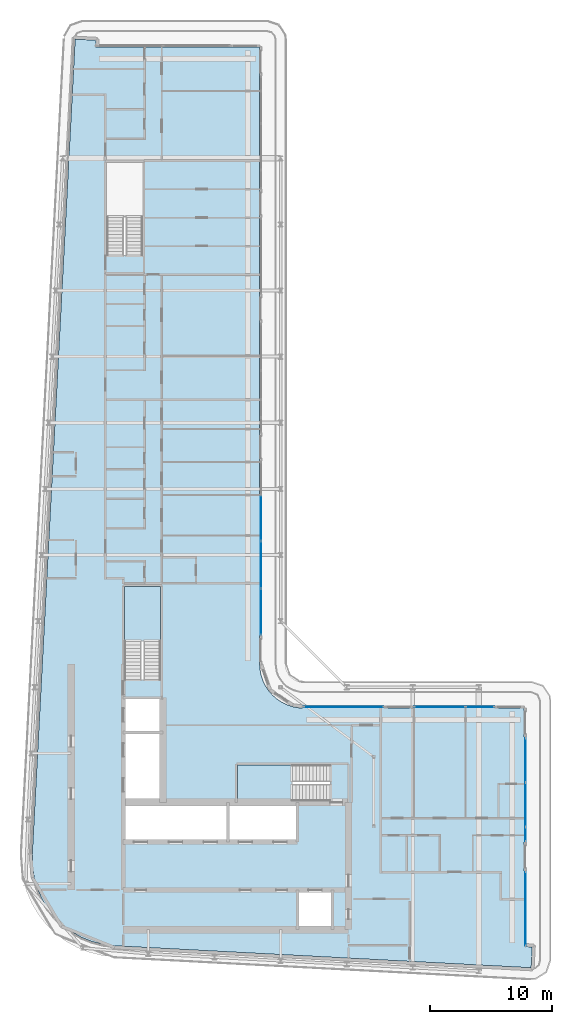
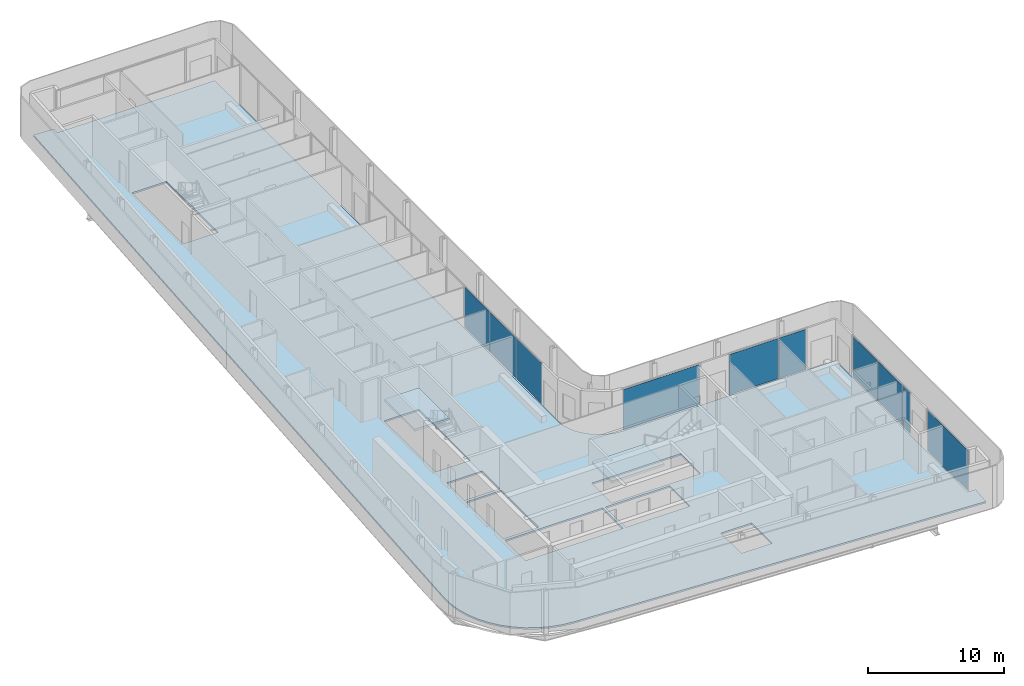
# One storey, part 9 of 21: 10 plates, 3 slabs, 9 elements without a shape of their own.
"""IFC4 building model written with IfcOpenShell, lengths in metres."""

import ifcopenshell
import ifcopenshell.guid

model = None  # the IFC model being written
_history = None  # IfcOwnerHistory: only IFC2X3 demands one
_inside = {}  # id of a spatial element -> (the spatial element, [elements in it])
_under = {}  # id of a project, library or spatial element -> (it, [spatial elements below it])
_declared = {}  # id of a project -> (the project, [libraries it declares])
_typed = {}  # id of a type object -> (the type object, [elements of that type])
_made_of = {}  # id of a material, layer set ... -> (it, [elements and type objects made of it])


def new_model(schema):
    """Start an empty IFC model of exactly this schema.

    Asked for "IFC4X3", IfcOpenShell would pick the latest addendum, in which some entities
    have other attributes; the version numbers below select the first issue.
    IFC2X3 requires an IfcOwnerHistory on every rooted entity: one is made here for all.
    """
    global model, _history
    if schema == "IFC4X3":
        model = ifcopenshell.file(schema_version=(4, 3, 0, 0))
    else:
        model = ifcopenshell.file(schema=schema)
    _inside.clear()
    _under.clear()
    _declared.clear()
    _typed.clear()
    _made_of.clear()
    _history = None
    if model.schema == "IFC2X3":
        org = make("IfcOrganization", Name="unknown")
        user = make(
            "IfcPersonAndOrganization",
            ThePerson=make("IfcPerson", FamilyName="unknown"),
            TheOrganization=org,
        )
        app = make(
            "IfcApplication",
            ApplicationDeveloper=org,
            Version="unknown",
            ApplicationFullName="unknown",
            ApplicationIdentifier="unknown",
        )
        _history = make(
            "IfcOwnerHistory",
            OwningUser=user,
            OwningApplication=app,
            ChangeAction="ADDED",
            CreationDate=0,
        )
    return model


def make(cls, **values):
    """One entity of the class cls with the attributes given. An attribute that is None is left unset."""
    return model.create_entity(
        cls, **{name: value for name, value in values.items() if value is not None}
    )


def rooted(cls, **values):
    """An entity with a GlobalId (a new one), such as an element, a storey or a relation."""
    return make(cls, GlobalId=ifcopenshell.guid.new(), OwnerHistory=_history, **values)


def si_unit(unit_type, name, prefix=None):
    """IfcSIUnit, for example si_unit("LENGTHUNIT", "METRE", prefix="MILLI")."""
    return make("IfcSIUnit", UnitType=unit_type, Prefix=prefix, Name=name)


def assignment(units):
    """IfcUnitAssignment: the units of a project."""
    return None if units is None else make("IfcUnitAssignment", Units=units)


def point(xyz):
    """IfcCartesianPoint."""
    return None if xyz is None else make("IfcCartesianPoint", Coordinates=xyz)


def direction(xyz):
    """IfcDirection."""
    return None if xyz is None else make("IfcDirection", DirectionRatios=xyz)


def frame(location, z_axis=None, x_axis=None):
    """IfcAxis2Placement3D, a coordinate frame: its origin and axes. An axis left out is left unset."""
    return make(
        "IfcAxis2Placement3D",
        Location=point(location),
        Axis=direction(z_axis),
        RefDirection=direction(x_axis),
    )


def frame_2d(location, x_axis=None):
    """IfcAxis2Placement2D, a coordinate frame in the plane: its origin and x axis."""
    return make(
        "IfcAxis2Placement2D", Location=point(location), RefDirection=direction(x_axis)
    )


def origin():
    """The frame at (0, 0, 0) with its axes left unset."""
    return frame((0.0, 0.0, 0.0))


def origin_2d():
    """The frame at (0, 0) in the plane with its x axis left unset."""
    return frame_2d((0.0, 0.0))


def place(relative_to, where):
    """IfcLocalPlacement: puts the frame where relative to a parent placement (None: the world)."""
    return make(
        "IfcLocalPlacement", PlacementRelTo=relative_to, RelativePlacement=where
    )


def context(
    kind, dimensions, precision=None, world=None, true_north=None, identifier=None
):
    """IfcGeometricRepresentationContext, for example the 3D "Model" context."""
    return make(
        "IfcGeometricRepresentationContext",
        ContextIdentifier=identifier,
        ContextType=kind,
        CoordinateSpaceDimension=dimensions,
        Precision=precision,
        WorldCoordinateSystem=world,
        TrueNorth=true_north,
    )


def subcontext(parent, identifier, kind, view, scale=None):
    """IfcGeometricRepresentationSubContext, for example "Body" below "Model"."""
    return make(
        "IfcGeometricRepresentationSubContext",
        ContextIdentifier=identifier,
        ContextType=kind,
        ParentContext=parent,
        TargetScale=scale,
        TargetView=view,
    )


def project(units=None, contexts=None):
    """IfcProject with its units and contexts."""
    return rooted(
        "IfcProject",
        Name="project",
        RepresentationContexts=contexts,
        UnitsInContext=assignment(units),
    )


def spatial(cls, under=None, at=None, **own):
    """A site, building, storey or space (cls), placed at a placement, below another one or the project."""
    s = rooted(cls, ObjectPlacement=at, **own)
    if under is not None:
        _under.setdefault(under.id(), (under, []))[1].append(s)
    return s


def polyline(points):
    """IfcPolyline through the points."""
    return make("IfcPolyline", Points=[point(p) for p in points])


def profile(cls, at=None, kind="AREA", **sizes):
    """A parametric profile (cls). Its sizes go by their IFC names, for example OverallWidth=200.0."""
    return make(cls, ProfileType=kind, Position=at, **sizes)


def rectangle(**sizes):
    """IfcRectangleProfileDef."""
    return profile("IfcRectangleProfileDef", **sizes)


def outline(outer, holes=None, kind="AREA"):
    """IfcArbitraryClosedProfileDef: a profile drawn as a closed curve; with holes, ...WithVoids."""
    if holes is None:
        return make("IfcArbitraryClosedProfileDef", ProfileType=kind, OuterCurve=outer)
    return make(
        "IfcArbitraryProfileDefWithVoids",
        ProfileType=kind,
        OuterCurve=outer,
        InnerCurves=holes,
    )


def extrude(swept, where, along, depth):
    """IfcExtrudedAreaSolid: the profile swept, set in the frame where, extruded along a direction by depth."""
    return make(
        "IfcExtrudedAreaSolid",
        SweptArea=swept,
        Position=where,
        ExtrudedDirection=direction(along),
        Depth=depth,
    )


def shape(context_of_items, identifier, shape_type, items):
    """IfcShapeRepresentation: the items that make up one representation, for example the "Body"."""
    return make(
        "IfcShapeRepresentation",
        ContextOfItems=context_of_items,
        RepresentationIdentifier=identifier,
        RepresentationType=shape_type,
        Items=items,
    )


def material(Name=None, Category=None):
    """IfcMaterial."""
    return make("IfcMaterial", Name=Name, Category=Category)


def layer(
    of_material, thickness, ventilated=None, Name=None, Category=None, Priority=None
):
    """IfcMaterialLayer: one layer of a wall or slab, of a material (None: an air gap)."""
    return make(
        "IfcMaterialLayer",
        Material=of_material,
        LayerThickness=thickness,
        IsVentilated=ventilated,
        Name=Name,
        Category=Category,
        Priority=Priority,
    )


def layer_set(layers, Name=None):
    """IfcMaterialLayerSet."""
    return make("IfcMaterialLayerSet", MaterialLayers=layers, LayerSetName=Name)


def made_of(thing, what):
    """Note that an element or type object is made of a material, layer set ...; save() writes the relation."""
    if what is not None:
        _made_of.setdefault(what.id(), (what, []))[1].append(thing)
    return thing


def type_object(cls, material=None, **own):
    """A type object (cls), such as IfcWallType, which elements share."""
    return made_of(rooted(cls, **own), material)


def element(
    cls,
    number,
    at=None,
    inside=None,
    cuts=None,
    type_object=None,
    material=None,
    context=None,
    identifier="Body",
    shape_type=None,
    held_by="IfcProductDefinitionShape",
    body=None,
    shapes=None,
    **own,
):
    """One element of the class cls, such as IfcWall. Its Tag is "e" and its number.

    at: its placement. inside: the storey or other place that contains it. cuts: it is an
    opening in that element (IfcRelVoidsElement). A single representation is given by context,
    identifier, shape_type and body (its items); several are given by shapes. held_by: the class
    of the entity that holds the representations. save() writes the other relations.
    """
    e = rooted(cls, Tag="e%d" % number, ObjectPlacement=at, **own)
    if body is not None:
        shapes = [shape(context, identifier, shape_type, body)]
    if shapes is not None:
        e.Representation = make(held_by, Representations=shapes)
    if inside is not None:
        _inside.setdefault(inside.id(), (inside, []))[1].append(e)
    if cuts is not None:
        rooted(
            "IfcRelVoidsElement", RelatingBuildingElement=cuts, RelatedOpeningElement=e
        )
    if type_object is not None:
        _typed.setdefault(type_object.id(), (type_object, []))[1].append(e)
    return made_of(e, material)


def aggregate(whole, parts):
    """IfcRelAggregates: a whole, such as a stair, and the parts it consists of."""
    return rooted("IfcRelAggregates", RelatingObject=whole, RelatedObjects=parts)


def save(model, path):
    """Write the relations noted so far, then the file.

    IfcRelAggregates (storeys below a building ...), IfcRelContainedInSpatialStructure (elements
    in a storey), IfcRelDefinesByType, IfcRelAssociatesMaterial and IfcRelDeclares: one each for
    every whole, place, type object, material and project.
    """
    for whole, parts in _under.values():
        aggregate(whole, parts)
    for where, things in _inside.values():
        rooted(
            "IfcRelContainedInSpatialStructure",
            RelatedElements=things,
            RelatingStructure=where,
        )
    for kind, things in _typed.values():
        rooted("IfcRelDefinesByType", RelatedObjects=things, RelatingType=kind)
    for what, things in _made_of.values():
        rooted("IfcRelAssociatesMaterial", RelatedObjects=things, RelatingMaterial=what)
    for by, libraries in _declared.values():
        rooted("IfcRelDeclares", RelatingContext=by, RelatedDefinitions=libraries)
    model.write(path)


model = new_model("IFC4")

# Units and contexts
model_context = context("Model", 3, precision=1e-05, world=origin(), true_north=direction((0.0, 1.0)))
body_context = subcontext(model_context, "Body", "Model", "MODEL_VIEW")
ifc_project = project(units=[si_unit("LENGTHUNIT", "METRE"), si_unit("AREAUNIT", "SQUARE_METRE"), si_unit("VOLUMEUNIT", "CUBIC_METRE"), si_unit("PLANEANGLEUNIT", "RADIAN"), si_unit("MASSUNIT", "GRAM", prefix="KILO")], contexts=[model_context])

# Site, building, storey
site_placement = place(None, origin())
site = spatial("IfcSite", under=ifc_project, at=site_placement, CompositionType="ELEMENT")
building_placement = place(site_placement, origin())
building = spatial("IfcBuilding", under=site, at=building_placement, Name="Kheshtan School and Residences Tower", CompositionType="ELEMENT")
storey_placement = place(building_placement, frame((0.0, 0.0, 309.800048828125)))
storey = spatial("IfcBuildingStorey", under=building, at=storey_placement, Name="L73", CompositionType="ELEMENT", Elevation=309.800048828125)

# Curtain wall, plate
ifc_material_1 = material(Name="Clear low-e glass in thermally broken aluminium frame", Category="aluminium")
ifc_layer_1 = layer(ifc_material_1, 0.199951171875)
ifc_layer_set_1 = layer_set([ifc_layer_1], Name="Curtain wall CW-L")
curtain_wall_type = type_object("IfcCurtainWallType", Name="Curtain wall CW-L", PredefinedType="NOTDEFINED", material=ifc_layer_set_1)
curtain_wall_1_placement = place(storey_placement, origin())
curtain_wall_1 = element("IfcCurtainWall", 1, at=curtain_wall_1_placement, inside=storey, type_object=curtain_wall_type, Name="Curtain wall CWL8k", PredefinedType="NOTDEFINED")
ifc_layer_2 = layer(ifc_material_1, 0.031982421875)
ifc_layer_set_2 = layer_set([ifc_layer_2], Name="CW-L glass panel")
plate_type = type_object("IfcPlateType", Name="CW-L glass panel", PredefinedType="CURTAIN_PANEL", material=ifc_layer_set_2)
plate_1_placement = place(storey_placement, frame((46.0, 59.427001953125, 0.0), z_axis=(0.0, 0.0, 1.0), x_axis=(0.0, -1.0, 0.0)))
plate_1 = element("IfcPlate", 2, at=plate_1_placement, type_object=plate_type, Name="CWL8k panel 2.1", PredefinedType="CURTAIN_PANEL", context=body_context, shape_type="SweptSolid", body=[
    extrude(rectangle(XDim=3.68603515625, YDim=0.031982421875, at=origin_2d()), origin(), (0.0, 0.0, 1.0), 3.6298828125),
])
aggregate(curtain_wall_1, [plate_1])

# Curtain wall, plates
curtain_wall_2_placement = place(storey_placement, origin())
curtain_wall_2 = element("IfcCurtainWall", 3, at=curtain_wall_2_placement, inside=storey, type_object=curtain_wall_type, Name="Curtain wall CWL8", PredefinedType="NOTDEFINED")
plate_2_placement = place(storey_placement, frame((46.0, 55.615478515625, 0.0), z_axis=(0.0, 0.0, 1.0), x_axis=(0.0, -1.0, 0.0)))
plate_2 = element("IfcPlate", 4, at=plate_2_placement, type_object=plate_type, Name="CWL8 panel 1.1", PredefinedType="CURTAIN_PANEL", context=body_context, shape_type="SweptSolid", body=[
    extrude(rectangle(XDim=3.81689453125, YDim=0.031982421875, at=origin_2d()), origin(), (0.0, 0.0, 1.0), 3.6298828125),
])
plate_3_placement = place(storey_placement, frame((46.0, 51.7685546875, 0.0), z_axis=(0.0, 0.0, 1.0), x_axis=(0.0, -1.0, 0.0)))
plate_3 = element("IfcPlate", 5, at=plate_3_placement, type_object=plate_type, Name="CWL8 panel 2.1", PredefinedType="CURTAIN_PANEL", context=body_context, shape_type="SweptSolid", body=[
    extrude(rectangle(XDim=3.757080078125, YDim=0.031982421875, at=origin_2d()), origin(), (0.0, 0.0, 1.0), 3.6298828125),
])
aggregate(curtain_wall_2, [plate_2, plate_3])

# Curtain wall, plate
curtain_wall_3_placement = place(storey_placement, origin())
curtain_wall_3 = element("IfcCurtainWall", 6, at=curtain_wall_3_placement, inside=storey, type_object=curtain_wall_type, Name="Curtain wall CWL1233", PredefinedType="NOTDEFINED")
plate_4_placement = place(storey_placement, frame((52.74755859375, 44.0, 0.0), z_axis=(0.0, 0.0, 1.0), x_axis=(1.0, 0.0, 0.0)))
plate_4 = element("IfcPlate", 7, at=plate_4_placement, type_object=plate_type, Name="CWL1233 panel 1.1", PredefinedType="CURTAIN_PANEL", context=body_context, shape_type="SweptSolid", body=[
    extrude(rectangle(XDim=6.514892578125, YDim=0.031982421875, at=origin_2d()), origin(), (0.0, 0.0, 1.0), 3.6298828125),
])
aggregate(curtain_wall_3, [plate_4])

# Curtain wall, plates
curtain_wall_4_placement = place(storey_placement, origin())
curtain_wall_4 = element("IfcCurtainWall", 8, at=curtain_wall_4_placement, inside=storey, type_object=curtain_wall_type, Name="Curtain wall CWL1234", PredefinedType="NOTDEFINED")
plate_5_placement = place(storey_placement, frame((60.597412109375, 44.0, 0.0), z_axis=(0.0, 0.0, 1.0), x_axis=(1.0, 0.0, 0.0)))
plate_5 = element("IfcPlate", 9, at=plate_5_placement, type_object=plate_type, Name="CWL1234 panel 1.1", PredefinedType="CURTAIN_PANEL", context=body_context, shape_type="SweptSolid", body=[
    extrude(rectangle(XDim=4.14501953125, YDim=0.031982421875, at=origin_2d()), origin(), (0.0, 0.0, 1.0), 3.6298828125),
])
plate_6_placement = place(storey_placement, frame((63.885009765625, 44.0, 0.0), z_axis=(0.0, 0.0, 1.0), x_axis=(1.0, 0.0, 0.0)))
plate_6 = element("IfcPlate", 10, at=plate_6_placement, type_object=plate_type, Name="CWL1234 panel 2.1", PredefinedType="CURTAIN_PANEL", context=body_context, shape_type="SweptSolid", body=[
    extrude(rectangle(XDim=2.31005859375, YDim=0.031982421875, at=origin_2d()), origin(), (0.0, 0.0, 1.0), 3.6298828125),
])
aggregate(curtain_wall_4, [plate_5, plate_6])

curtain_wall_5_placement = place(storey_placement, origin())
curtain_wall_5 = element("IfcCurtainWall", 11, at=curtain_wall_5_placement, inside=storey, type_object=curtain_wall_type, Name="Curtain wall CWL13e", PredefinedType="NOTDEFINED")
plate_7_placement = place(storey_placement, frame((67.60009765625, 39.64990234375, 0.0), z_axis=(0.0, 0.0, 1.0), x_axis=(0.0, -1.0, 0.0)))
plate_7 = element("IfcPlate", 12, at=plate_7_placement, type_object=plate_type, Name="CWL13e panel 1.1", PredefinedType="CURTAIN_PANEL", context=body_context, shape_type="SweptSolid", body=[
    extrude(rectangle(XDim=3.580322265625, YDim=0.031982421875, at=origin_2d()), origin(), (0.0, 0.0, 1.0), 3.6298828125),
])
plate_8_placement = place(storey_placement, frame((67.60009765625, 36.009521484375, 0.0), z_axis=(0.0, 0.0, 1.0), x_axis=(0.0, -1.0, 0.0)))
plate_8 = element("IfcPlate", 13, at=plate_8_placement, type_object=plate_type, Name="CWL13e panel 2.1", PredefinedType="CURTAIN_PANEL", context=body_context, shape_type="SweptSolid", body=[
    extrude(rectangle(XDim=3.580322265625, YDim=0.031982421875, at=origin_2d()), origin(), (0.0, 0.0, 1.0), 3.6298828125),
])
aggregate(curtain_wall_5, [plate_7, plate_8])

# Curtain wall, plate
curtain_wall_6_placement = place(storey_placement, origin())
curtain_wall_6 = element("IfcCurtainWall", 14, at=curtain_wall_6_placement, inside=storey, type_object=curtain_wall_type, Name="Curtain wall CWL13f", PredefinedType="NOTDEFINED")
plate_9_placement = place(storey_placement, frame((67.60009765625, 33.589599609375, 0.0), z_axis=(0.0, 0.0, 1.0), x_axis=(0.0, -1.0, 0.0)))
plate_9 = element("IfcPlate", 15, at=plate_9_placement, type_object=plate_type, Name="CWL13f panel 1.1", PredefinedType="CURTAIN_PANEL", context=body_context, shape_type="SweptSolid", body=[
    extrude(rectangle(XDim=1.139892578125, YDim=0.031982421875, at=origin_2d()), origin(), (0.0, 0.0, 1.0), 3.6298828125),
])
aggregate(curtain_wall_6, [plate_9])

curtain_wall_7_placement = place(storey_placement, origin())
curtain_wall_7 = element("IfcCurtainWall", 16, at=curtain_wall_7_placement, inside=storey, type_object=curtain_wall_type, Name="Curtain wall CWL13g", PredefinedType="NOTDEFINED")
plate_10_placement = place(storey_placement, frame((67.60009765625, 27.4892578125, 0.0), z_axis=(0.0, 0.0, 1.0), x_axis=(0.0, -1.0, 0.0)))
plate_10 = element("IfcPlate", 17, at=plate_10_placement, type_object=plate_type, Name="CWL13g panel 1.1", PredefinedType="CURTAIN_PANEL", context=body_context, shape_type="SweptSolid", body=[
    extrude(rectangle(XDim=6.0205078125, YDim=0.031982421875, at=origin_2d()), origin(), (0.0, 0.0, 1.0), 3.6298828125),
])
aggregate(curtain_wall_7, [plate_10])

# Slab
ifc_material_2 = material(Name="Concrete C40/50", Category="concrete")
ifc_layer_3 = layer(ifc_material_2, 0.14990234375)
ifc_layer_set_3 = layer_set([ifc_layer_3], Name="Floor slab 150 Concrete C40/50")
slab_type_1 = type_object("IfcSlabType", Name="Floor slab 150 Concrete C40/50", PredefinedType="FLOOR", material=ifc_layer_set_3)
slab_1_placement = place(storey_placement, frame((0.0, 0.0, -0.150146484375)))
element("IfcSlab", 18, at=slab_1_placement, inside=storey, type_object=slab_type_1, Name="Floor slab L73", PredefinedType="FLOOR", context=body_context, shape_type="SweptSolid", body=[
    extrude(outline(polyline([(28.55908203125, 27.550048828125), (28.0849609375, 28.345947265625), (27.718017578125, 29.200927734375), (27.466064453125, 30.093017578125), (27.466064453125, 30.093994140625), (27.3330078125, 31.013916015625), (27.320068359375, 31.965087890625), (27.320068359375, 31.970947265625), (30.822021484375, 98.5009765625), (30.822998046875, 98.508056640625), (30.825927734375, 98.531005859375), (30.825927734375, 98.531982421875), (30.826904296875, 98.531982421875), (31.422119140625, 98.5), (31.423095703125, 98.5), (31.423095703125, 98.4990234375), (31.423095703125, 98.4951171875), (31.423095703125, 98.493896484375), (31.424072265625, 98.493896484375), (31.424072265625, 98.492919921875), (31.425048828125, 98.492919921875), (31.426025390625, 98.492919921875), (31.426025390625, 98.493896484375), (31.427978515625, 98.49609375), (31.428955078125, 98.4970703125), (31.429931640625, 98.498046875), (31.430908203125, 98.498046875), (31.430908203125, 98.4990234375), (31.431884765625, 98.4990234375), (31.431884765625, 98.5), (31.43505859375, 98.5009765625), (31.43603515625, 98.501953125), (31.43896484375, 98.501953125), (31.43994140625, 98.501953125), (31.43994140625, 98.5029296875), (31.44091796875, 98.5029296875), (31.446044921875, 98.5029296875), (32.5009765625, 98.447021484375), (32.50390625, 98.447021484375), (32.5048828125, 98.447021484375), (32.5048828125, 98.446044921875), (32.506103515625, 98.446044921875), (32.510009765625, 98.446044921875), (32.510009765625, 98.445068359375), (32.510986328125, 98.445068359375), (32.510986328125, 98.444091796875), (32.511962890625, 98.444091796875), (32.511962890625, 98.443115234375), (32.512939453125, 98.443115234375), (32.513916015625, 98.443115234375), (32.513916015625, 98.44189453125), (32.514892578125, 98.44189453125), (32.51611328125, 98.44189453125), (32.51904296875, 98.43896484375), (32.51904296875, 98.43798828125), (32.51904296875, 98.43701171875), (32.52001953125, 98.43701171875), (32.52001953125, 98.43603515625), (32.52099609375, 98.43603515625), (32.52099609375, 98.43408203125), (32.52099609375, 98.43310546875), (32.52197265625, 98.43310546875), (32.52197265625, 98.431884765625), (32.52294921875, 98.431884765625), (32.52294921875, 98.430908203125), (32.52294921875, 98.428955078125), (32.52294921875, 98.427978515625), (32.52392578125, 98.427978515625), (32.52392578125, 98.427001953125), (32.52392578125, 98.422119140625), (32.4970703125, 97.9208984375), (32.4970703125, 97.91796875), (32.4970703125, 97.9169921875), (32.49609375, 97.9169921875), (32.49609375, 97.916015625), (32.49609375, 97.912109375), (32.4951171875, 97.910888671875), (32.4951171875, 97.909912109375), (32.493896484375, 97.909912109375), (32.493896484375, 97.908935546875), (32.492919921875, 97.908935546875), (32.492919921875, 97.907958984375), (32.489013671875, 97.904052734375), (32.488037109375, 97.904052734375), (32.488037109375, 97.903076171875), (32.488037109375, 97.902099609375), (32.488037109375, 97.90087890625), (32.489013671875, 97.90087890625), (32.489013671875, 97.89990234375), (32.489990234375, 97.89990234375), (45.85498046875, 97.89990234375), (45.864990234375, 97.89794921875), (45.865966796875, 97.89794921875), (45.868896484375, 97.89599609375), (45.8740234375, 97.89404296875), (45.8779296875, 97.89208984375), (45.881103515625, 97.889892578125), (45.881103515625, 97.888916015625), (45.882080078125, 97.888916015625), (45.882080078125, 97.887939453125), (45.883056640625, 97.887939453125), (45.884033203125, 97.885009765625), (45.885009765625, 97.885009765625), (45.885009765625, 97.884033203125), (45.887939453125, 97.883056640625), (45.887939453125, 97.882080078125), (45.888916015625, 97.882080078125), (45.888916015625, 97.881103515625), (45.889892578125, 97.881103515625), (45.89208984375, 97.8779296875), (45.89404296875, 97.8740234375), (45.89599609375, 97.868896484375), (45.89794921875, 97.865966796875), (45.89794921875, 97.864990234375), (45.89990234375, 97.85498046875), (45.89990234375, 47.429931640625), (45.927001953125, 47.030029296875), (46.01806640625, 46.570068359375), (46.01806640625, 46.569091796875), (46.169921875, 46.1201171875), (46.37890625, 45.697021484375), (46.638916015625, 45.30810546875), (46.949951171875, 44.950927734375), (46.950927734375, 44.949951171875), (47.30810546875, 44.638916015625), (47.697021484375, 44.37890625), (48.1201171875, 44.169921875), (48.569091796875, 44.01806640625), (48.570068359375, 44.01806640625), (49.030029296875, 43.927001953125), (49.429931640625, 43.89990234375), (67.455078125, 43.89990234375), (67.4599609375, 43.89892578125), (67.465087890625, 43.89794921875), (67.466064453125, 43.89794921875), (67.468994140625, 43.89599609375), (67.47412109375, 43.89404296875), (67.47802734375, 43.89208984375), (67.48095703125, 43.889892578125), (67.48095703125, 43.888916015625), (67.48193359375, 43.888916015625), (67.48193359375, 43.887939453125), (67.48291015625, 43.887939453125), (67.48388671875, 43.885009765625), (67.485107421875, 43.885009765625), (67.485107421875, 43.884033203125), (67.488037109375, 43.883056640625), (67.488037109375, 43.882080078125), (67.489013671875, 43.882080078125), (67.489013671875, 43.881103515625), (67.489990234375, 43.881103515625), (67.491943359375, 43.8779296875), (67.493896484375, 43.8740234375), (67.49609375, 43.868896484375), (67.498046875, 43.865966796875), (67.498046875, 43.864990234375), (67.4990234375, 43.860107421875), (67.5, 43.85498046875), (67.5, 24.4140625), (67.5, 24.4130859375), (67.5009765625, 24.4130859375), (67.5009765625, 24.412109375), (67.501953125, 24.412109375), (67.5029296875, 24.412109375), (67.5029296875, 24.4130859375), (67.5048828125, 24.4150390625), (67.507080078125, 24.4169921875), (67.508056640625, 24.4169921875), (67.508056640625, 24.41796875), (67.509033203125, 24.41796875), (67.509033203125, 24.4189453125), (67.510009765625, 24.4189453125), (67.511962890625, 24.419921875), (67.512939453125, 24.4208984375), (67.51611328125, 24.4208984375), (67.51708984375, 24.4208984375), (67.51708984375, 24.422119140625), (67.51806640625, 24.422119140625), (67.52294921875, 24.422119140625), (68.137939453125, 24.388916015625), (68.14111328125, 24.388916015625), (68.14208984375, 24.388916015625), (68.14208984375, 24.387939453125), (68.14306640625, 24.387939453125), (68.14697265625, 24.387939453125), (68.14697265625, 24.386962890625), (68.14794921875, 24.386962890625), (68.14794921875, 24.385986328125), (68.14892578125, 24.385986328125), (68.14892578125, 24.385009765625), (68.14990234375, 24.385009765625), (68.15087890625, 24.385009765625), (68.15087890625, 24.384033203125), (68.152099609375, 24.384033203125), (68.153076171875, 24.384033203125), (68.153076171875, 24.383056640625), (68.155029296875, 24.381103515625), (68.156005859375, 24.381103515625), (68.156005859375, 24.3798828125), (68.156005859375, 24.37890625), (68.156982421875, 24.37890625), (68.156982421875, 24.3779296875), (68.157958984375, 24.3779296875), (68.157958984375, 24.3759765625), (68.157958984375, 24.375), (68.158935546875, 24.375), (68.158935546875, 24.3740234375), (68.159912109375, 24.3740234375), (68.159912109375, 24.373046875), (68.159912109375, 24.37109375), (68.159912109375, 24.3701171875), (68.160888671875, 24.3701171875), (68.160888671875, 24.368896484375), (68.160888671875, 24.364013671875), (68.10498046875, 23.306884765625), (68.10498046875, 23.303955078125), (68.10498046875, 23.302978515625), (68.10400390625, 23.302978515625), (68.10400390625, 23.302001953125), (68.10400390625, 23.298095703125), (68.10302734375, 23.297119140625), (68.10302734375, 23.2958984375), (68.10205078125, 23.2958984375), (68.10205078125, 23.294921875), (68.10107421875, 23.294921875), (68.10107421875, 23.2939453125), (68.10009765625, 23.29296875), (68.097900390625, 23.291015625), (68.096923828125, 23.2900390625), (68.095947265625, 23.2900390625), (68.095947265625, 23.2890625), (68.095947265625, 23.2880859375), (68.095947265625, 23.287109375), (68.096923828125, 23.287109375), (68.096923828125, 23.285888671875), (68.097900390625, 23.285888671875), (68.09912109375, 23.285888671875), (68.10009765625, 23.285888671875), (68.10009765625, 23.284912109375), (68.068115234375, 22.68994140625), (68.068115234375, 22.68896484375), (68.06689453125, 22.68896484375), (68.04296875, 22.68798828125), (68.0380859375, 22.68798828125), (34.056884765625, 24.47802734375), (33.114990234375, 24.590087890625), (32.215087890625, 24.819091796875), (32.214111328125, 24.819091796875), (31.35205078125, 25.1630859375), (30.541015625, 25.616943359375), (29.799072265625, 26.1708984375), (29.799072265625, 26.172119140625), (29.798095703125, 26.172119140625), (29.134033203125, 26.820068359375), (29.134033203125, 26.821044921875), (29.133056640625, 26.821044921875), (28.55908203125, 27.550048828125)]), holes=[polyline([(67.5009765625, 23.29296875), (67.5, 23.29296875), (67.5, 23.2919921875), (67.5, 23.2880859375), (67.5, 23.287109375), (67.5009765625, 23.287109375), (67.5009765625, 23.285888671875), (67.501953125, 23.285888671875), (67.506103515625, 23.285888671875), (67.507080078125, 23.285888671875), (67.507080078125, 23.287109375), (67.508056640625, 23.287109375), (67.508056640625, 23.2880859375), (67.508056640625, 23.2890625), (67.507080078125, 23.2890625), (67.506103515625, 23.2900390625), (67.5048828125, 23.291015625), (67.5029296875, 23.29296875), (67.5029296875, 23.2939453125), (67.501953125, 23.2939453125), (67.5009765625, 23.2939453125), (67.5009765625, 23.29296875)]), polyline([(31.424072265625, 97.906982421875), (31.423095703125, 97.906982421875), (31.423095703125, 97.906005859375), (31.423095703125, 97.902099609375), (31.423095703125, 97.90087890625), (31.424072265625, 97.90087890625), (31.424072265625, 97.89990234375), (31.425048828125, 97.89990234375), (31.428955078125, 97.89990234375), (31.429931640625, 97.89990234375), (31.429931640625, 97.90087890625), (31.430908203125, 97.90087890625), (31.430908203125, 97.902099609375), (31.430908203125, 97.903076171875), (31.429931640625, 97.903076171875), (31.428955078125, 97.904052734375), (31.427978515625, 97.905029296875), (31.427001953125, 97.906005859375), (31.426025390625, 97.906982421875), (31.426025390625, 97.907958984375), (31.425048828125, 97.907958984375), (31.424072265625, 97.907958984375), (31.424072265625, 97.906982421875)]), polyline([(51.72509765625, 28.925048828125), (49.125, 28.925048828125), (49.125, 25.925048828125), (51.72509765625, 25.925048828125), (51.72509765625, 28.925048828125)]), polyline([(43.175048828125, 33.074951171875), (43.175048828125, 36.074951171875), (34.875, 36.074951171875), (34.875, 33.074951171875), (43.175048828125, 33.074951171875)]), polyline([(43.425048828125, 36.074951171875), (43.425048828125, 33.074951171875), (48.875, 33.074951171875), (48.875, 36.074951171875), (43.425048828125, 36.074951171875)]), polyline([(51.64990234375, 37.699951171875), (51.64990234375, 39.25), (44.090087890625, 39.25), (44.090087890625, 36.300048828125), (51.639892578125, 36.300048828125), (51.639892578125, 37.699951171875), (51.64990234375, 37.699951171875)]), polyline([(37.875, 41.77490234375), (34.875, 41.77490234375), (34.875, 36.324951171875), (37.875, 36.324951171875), (37.875, 41.77490234375)]), polyline([(37.875, 44.625), (34.875, 44.625), (34.875, 42.02490234375), (37.875, 42.02490234375), (37.875, 44.625)]), polyline([(37.800048828125, 53.81005859375), (34.85009765625, 53.81005859375), (34.85009765625, 46.260009765625), (36.25, 46.260009765625), (36.25, 46.25), (37.800048828125, 46.25), (37.800048828125, 53.81005859375)]), polyline([(36.35009765625, 88.4599609375), (33.39990234375, 88.4599609375), (33.39990234375, 80.909912109375), (34.800048828125, 80.909912109375), (34.800048828125, 80.89990234375), (36.35009765625, 80.89990234375), (36.35009765625, 88.4599609375)])]), origin(), (0.0, 0.0, 1.0), 0.150146484375),
])

# Stair, slab
stair_type = type_object("IfcStairType", Name="Exit stair, half-turn", PredefinedType="HALF_TURN_STAIR", material=ifc_material_2)
stair_1_placement = place(storey_placement, origin())
stair_1 = element("IfcStair", 19, at=stair_1_placement, inside=storey, type_object=stair_type, Name="L73 Protected Exit Stair ST1", PredefinedType="HALF_TURN_STAIR")
ifc_layer_4 = layer(ifc_material_2, 0.199951171875)
ifc_layer_set_4 = layer_set([ifc_layer_4], Name="Stair landing 200 Concrete C40/50")
slab_type_2 = type_object("IfcSlabType", Name="Stair landing 200 Concrete C40/50", PredefinedType="LANDING", material=ifc_layer_set_4)
slab_2_placement = place(storey_placement, frame((0.0, 0.0, 1.75)))
slab_2 = element("IfcSlab", 20, at=slab_2_placement, type_object=slab_type_2, Name="ST1 landing 1", PredefinedType="LANDING", context=body_context, shape_type="SweptSolid", body=[
    extrude(outline(polyline([(48.570068359375, 39.25), (44.090087890625, 39.25), (44.090087890625, 36.300048828125), (48.570068359375, 36.300048828125), (48.570068359375, 39.25)])), origin(), (0.0, 0.0, 1.0), 0.199951171875),
])
aggregate(stair_1, [slab_2])

stair_2_placement = place(storey_placement, origin())
stair_2 = element("IfcStair", 21, at=stair_2_placement, inside=storey, type_object=stair_type, Name="L73 Protected Exit Stair ST2", PredefinedType="HALF_TURN_STAIR")
slab_3_placement = place(storey_placement, frame((0.0, 0.0, 1.75)))
slab_3 = element("IfcSlab", 22, at=slab_3_placement, type_object=slab_type_2, Name="ST2 landing 1", PredefinedType="LANDING", context=body_context, shape_type="SweptSolid", body=[
    extrude(outline(polyline([(37.800048828125, 49.330078125), (37.800048828125, 53.81005859375), (34.85009765625, 53.81005859375), (34.85009765625, 49.330078125), (37.800048828125, 49.330078125)])), origin(), (0.0, 0.0, 1.0), 0.199951171875),
])
aggregate(stair_2, [slab_3])

save(model, "model.ifc")
